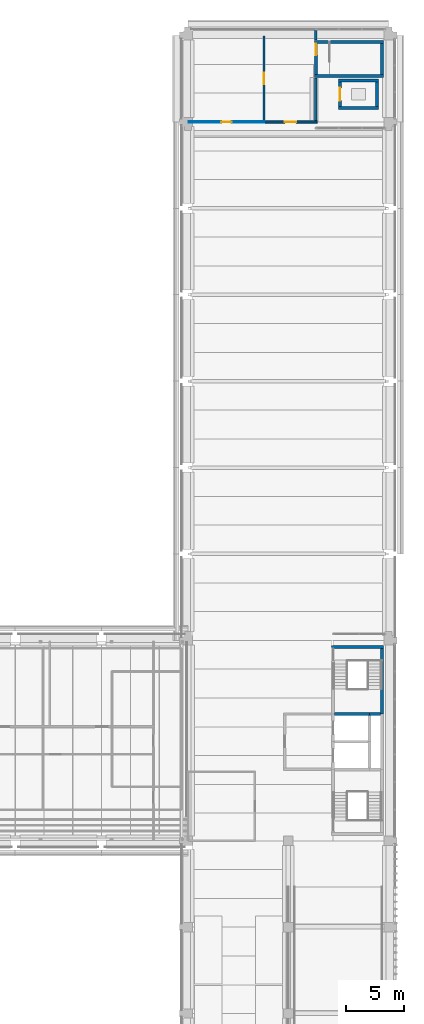
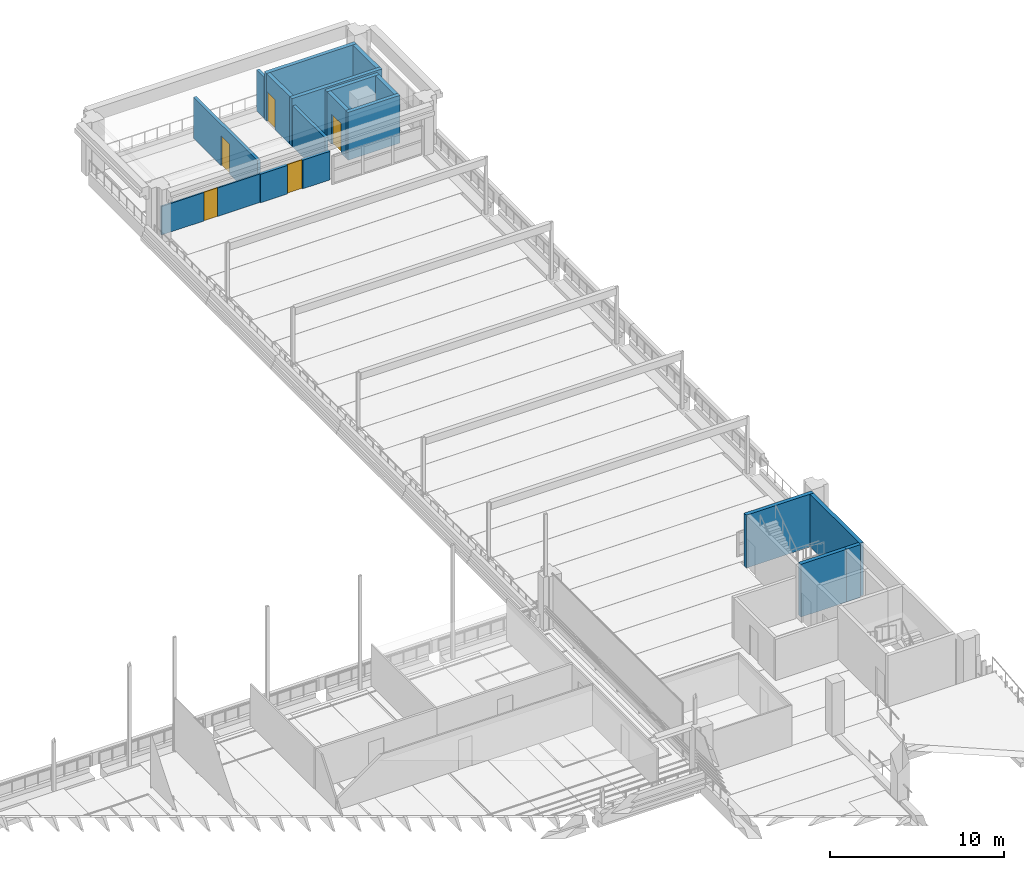
# One storey, part 46 of 62: 17 walls, 5 doors, 5 openings.
"""IFC4 building model written with IfcOpenShell, lengths in metres."""

from ifc_helpers import new_model, si_unit, direction, frame, frame_2d, origin, place, context, subcontext, project, spatial, rectangle, extrude, material, layer, layer_set, type_object, element, fill, save


model = new_model("IFC4")

# Units and contexts
model_context = context("Model", 3, precision=1e-05, world=origin(), true_north=direction((0.0, 1.0)))
body_context = subcontext(model_context, "Body", "Model", "MODEL_VIEW")
ifc_project = project(units=[si_unit("LENGTHUNIT", "METRE"), si_unit("AREAUNIT", "SQUARE_METRE"), si_unit("VOLUMEUNIT", "CUBIC_METRE"), si_unit("PLANEANGLEUNIT", "RADIAN"), si_unit("MASSUNIT", "GRAM", prefix="KILO")], contexts=[model_context])

# Site, building, storey
site_placement = place(None, origin())
site = spatial("IfcSite", under=ifc_project, at=site_placement, CompositionType="ELEMENT")
building_placement = place(site_placement, origin())
building = spatial("IfcBuilding", under=site, at=building_placement, Name="Cour d'Honneur Mobility Palace", CompositionType="ELEMENT")
storey_placement = place(building_placement, frame((0.0, 0.0, 19.300048828125)))
storey = spatial("IfcBuildingStorey", under=building, at=storey_placement, Name="L05", CompositionType="ELEMENT", Elevation=19.300048828125)

# Walls
ifc_material_1 = material(Name="Concrete C50", Category="concrete")
ifc_layer_1 = layer(ifc_material_1, 0.25)
ifc_layer_set_1 = layer_set([ifc_layer_1], Name="Concrete C50")
wall_type_1 = type_object("IfcWallType", Name="Lift shaft wall 250", PredefinedType="SHEAR", material=ifc_layer_set_1)
for number, where, z_axis, x_axis, name in (
    (1, (157.97509765625, 108.60009765625, 0.0), (0.0, 0.0, 1.0), (1.0, 0.0, 0.0), "Lift shaft wall WL-NE1 L05"),
    (2, (157.97509765625, 111.0, 0.0), (0.0, 0.0, 1.0), (1.0, 0.0, 0.0), "Lift shaft wall WL-NE2 L05"),
):
    element("IfcWall", number, at=place(storey_placement, frame(where, z_axis=z_axis, x_axis=x_axis)), inside=storey, type_object=wall_type_1, Name=name, PredefinedType="SHEAR", context=body_context, shape_type="SweptSolid", body=[
        extrude(rectangle(XDim=3.449951171875, YDim=0.25, at=frame_2d((1.72509765625, 0.0))), origin(), (0.0, 0.0, 1.0), 3.349853515625),
    ])

# Wall, opening, door
wall_1_placement = place(storey_placement, frame((158.10009765625, 108.72509765625, 0.0), z_axis=(0.0, 0.0, 1.0), x_axis=(0.0, 1.0, 0.0)))
wall_1 = element("IfcWall", 3, at=wall_1_placement, inside=storey, type_object=wall_type_1, Name="Lift shaft wall WL-NE6 L05", PredefinedType="SHEAR", context=body_context, shape_type="SweptSolid", body=[
    extrude(rectangle(XDim=2.14990234375, YDim=0.25, at=frame_2d((1.074951171875, 0.0))), origin(), (0.0, 0.0, 1.0), 3.349853515625),
])
opening_1_placement = place(wall_1_placement, frame((0.52490234375, 0.0, 0.0)))
opening_1 = element("IfcOpeningElement", 4, at=opening_1_placement, cuts=wall_1, Name="Opening LD64", PredefinedType="OPENING", context=body_context, shape_type="SweptSolid", body=[
    extrude(rectangle(XDim=1.10009765625, YDim=2.10009765625, at=frame_2d((0.550048828125, 1.050048828125))), frame((0.0, 0.135009765625, 0.0), z_axis=(0.0, -1.0, 0.0), x_axis=(1.0, 0.0, 0.0)), (0.0, 0.0, 1.0), 0.27001953125),
])
ifc_material_2 = material(Name="Stainless steel", Category="steel")
door_type_1 = type_object("IfcDoorType", Name="Landing door 1100 x 2100", OperationType="SLIDING_TO_LEFT", PredefinedType="DOOR", material=ifc_material_2)
door_1_placement = place(opening_1_placement, origin())
door_1 = element("IfcDoor", 5, at=door_1_placement, inside=storey, type_object=door_type_1, Name="Landing door LF-NE1 L05", OperationType="SLIDING_TO_LEFT", OverallHeight=2.10009765625, OverallWidth=1.10009765625, PredefinedType="DOOR", context=body_context, shape_type="SweptSolid", body=[
    extrude(rectangle(XDim=1.10009765625, YDim=2.10009765625, at=frame_2d((0.550048828125, 1.050048828125))), frame((0.0, 0.02490234375, 0.0), z_axis=(0.0, -1.0, 0.0), x_axis=(1.0, 0.0, 0.0)), (0.0, 0.0, 1.0), 0.050048828125),
])
fill(opening_1, door_1)

# Wall
wall_2_placement = place(storey_placement, frame((161.300048828125, 108.72509765625, 0.0), z_axis=(0.0, 0.0, 1.0), x_axis=(0.0, 1.0, 0.0)))
element("IfcWall", 6, at=wall_2_placement, inside=storey, type_object=wall_type_1, Name="Lift shaft wall WL-NE7 L05", PredefinedType="SHEAR", context=body_context, shape_type="SweptSolid", body=[
    extrude(rectangle(XDim=2.14990234375, YDim=0.25, at=frame_2d((1.074951171875, 0.0))), origin(), (0.0, 0.0, 1.0), 3.349853515625),
])

# Wall, opening, door
ifc_material_3 = material(Name="Gypsum plasterboard")
ifc_layer_2 = layer(ifc_material_3, 0.10009765625)
ifc_layer_set_2 = layer_set([ifc_layer_2], Name="Gypsum plasterboard")
wall_type_2 = type_object("IfcWallType", Name="Partition 100 under beam 1700", PredefinedType="PARTITIONING", material=ifc_layer_set_2)
wall_3_placement = place(storey_placement, frame((144.9599609375, 107.39990234375, 0.0), z_axis=(0.0, 0.0, 1.0), x_axis=(1.0, 0.0, 0.0)))
wall_3 = element("IfcWall", 7, at=wall_3_placement, inside=storey, type_object=wall_type_2, Name="Partition 073", PredefinedType="PARTITIONING", context=body_context, shape_type="SweptSolid", body=[
    extrude(rectangle(XDim=6.5400390625, YDim=0.10009765625, at=frame_2d((3.27001953125, 0.0))), origin(), (0.0, 0.0, 1.0), 2.0),
])
opening_2_placement = place(wall_3_placement, frame((2.820068359375, 0.0, 0.0)))
opening_2 = element("IfcOpeningElement", 8, at=opening_2_placement, cuts=wall_3, Name="Opening D0516", PredefinedType="OPENING", context=body_context, shape_type="SweptSolid", body=[
    extrude(rectangle(XDim=0.89990234375, YDim=2.0, at=frame_2d((0.449951171875, 1.0))), frame((0.0, 0.06005859375, 0.0), z_axis=(0.0, -1.0, 0.0), x_axis=(1.0, 0.0, 0.0)), (0.0, 0.0, 1.0), 0.1201171875),
])
ifc_material_4 = material(Name="Solid timber", Category="wood")
door_type_2 = type_object("IfcDoorType", Name="Single door 900 x 2000", OperationType="SINGLE_SWING_LEFT", PredefinedType="DOOR", material=ifc_material_4)
door_2_placement = place(opening_2_placement, frame((0.89990234375, 0.0, 0.0), z_axis=(0.0, 0.0, 1.0), x_axis=(-1.0, 0.0, 0.0)))
door_2 = element("IfcDoor", 9, at=door_2_placement, inside=storey, type_object=door_type_2, Name="Door Service Terrace Lounge", OperationType="SINGLE_SWING_RIGHT", OverallHeight=2.0, OverallWidth=0.89990234375, PredefinedType="DOOR", context=body_context, shape_type="SweptSolid", body=[
    extrude(rectangle(XDim=0.89990234375, YDim=2.0, at=frame_2d((0.449951171875, 1.0))), frame((0.0, 0.02490234375, 0.0), z_axis=(0.0, -1.0, 0.0), x_axis=(1.0, 0.0, 0.0)), (0.0, 0.0, 1.0), 0.050048828125),
])
fill(opening_2, door_2)

# Walls
ifc_material_5 = material(Name="Gypsum plasterboard")
ifc_layer_3 = layer(ifc_material_5, 0.199951171875)
ifc_layer_set_3 = layer_set([ifc_layer_3], Name="Gypsum plasterboard")
wall_type_3 = type_object("IfcWallType", Name="Partition 200 rated EI 120", PredefinedType="PARTITIONING", material=ifc_layer_set_3)
wall_4_placement = place(storey_placement, frame((156.0, 107.5, 0.0), z_axis=(0.0, 0.0, 1.0), x_axis=(0.0, 1.0, 0.0)))
element("IfcWall", 10, at=wall_4_placement, inside=storey, type_object=wall_type_3, Name="Partition 075", PredefinedType="PARTITIONING", context=body_context, shape_type="SweptSolid", body=[
    extrude(rectangle(XDim=3.72509765625, YDim=0.199951171875, at=frame_2d((1.862548828125, 0.0))), origin(), (0.0, 0.0, 1.0), 2.8798828125),
])
wall_5_placement = place(storey_placement, frame((156.0, 114.5, 0.0), z_axis=(0.0, 0.0, 1.0), x_axis=(0.0, 1.0, 0.0)))
element("IfcWall", 11, at=wall_5_placement, inside=storey, type_object=wall_type_3, Name="Partition 077", PredefinedType="PARTITIONING", context=body_context, shape_type="SweptSolid", body=[
    extrude(rectangle(XDim=0.89990234375, YDim=0.199951171875, at=frame_2d((0.449951171875, 0.0))), origin(), (0.0, 0.0, 1.0), 2.8798828125),
])

# Wall, opening, door
wall_6_placement = place(storey_placement, frame((151.5, 114.840087890625, 0.0), z_axis=(0.0, 0.0, 1.0), x_axis=(0.0, -1.0, 0.0)))
wall_6 = element("IfcWall", 12, at=wall_6_placement, inside=storey, type_object=wall_type_3, Name="Partition 079", PredefinedType="PARTITIONING", context=body_context, shape_type="SweptSolid", body=[
    extrude(rectangle(XDim=7.340087890625, YDim=0.199951171875, at=frame_2d((3.669921875, 0.0))), origin(), (0.0, 0.0, 1.0), 2.8798828125),
])
opening_3_placement = place(wall_6_placement, frame((3.169921875, 0.0, 0.0)))
opening_3 = element("IfcOpeningElement", 13, at=opening_3_placement, cuts=wall_6, Name="Opening D0515", PredefinedType="OPENING", context=body_context, shape_type="SweptSolid", body=[
    extrude(rectangle(XDim=1.0, YDim=2.10009765625, at=frame_2d((0.5, 1.050048828125))), frame((0.0, 0.10986328125, 0.0), z_axis=(0.0, -1.0, 0.0), x_axis=(1.0, 0.0, 0.0)), (0.0, 0.0, 1.0), 0.219970703125),
])
ifc_material_6 = material(Name="Galvanised steel", Category="steel")
door_type_3 = type_object("IfcDoorType", Name="Fire door FD120 1000 x 2100", OperationType="SINGLE_SWING_LEFT", PredefinedType="DOOR", material=ifc_material_6)
door_3_placement = place(opening_3_placement, origin())
door_3 = element("IfcDoor", 14, at=door_3_placement, inside=storey, type_object=door_type_3, Name="Door Service Terrace Lounge", OperationType="SINGLE_SWING_LEFT", OverallHeight=2.10009765625, OverallWidth=1.0, PredefinedType="DOOR", context=body_context, shape_type="SweptSolid", body=[
    extrude(rectangle(XDim=1.0, YDim=2.10009765625, at=frame_2d((0.5, 1.050048828125))), frame((0.0, 0.02490234375, 0.0), z_axis=(0.0, -1.0, 0.0), x_axis=(1.0, 0.0, 0.0)), (0.0, 0.0, 1.0), 0.050048828125),
])
fill(opening_3, door_3)

ifc_material_7 = material(Name="Gypsum plasterboard")
ifc_layer_4 = layer(ifc_material_7, 0.199951171875)
ifc_layer_set_4 = layer_set([ifc_layer_4], Name="Gypsum plasterboard")
wall_type_4 = type_object("IfcWallType", Name="Partition 200 rated EI 120 under beam 1700", PredefinedType="PARTITIONING", material=ifc_layer_set_4)
wall_7_placement = place(storey_placement, frame((151.5, 107.39990234375, 0.0), z_axis=(0.0, 0.0, 1.0), x_axis=(1.0, 0.0, 0.0)))
wall_7 = element("IfcWall", 15, at=wall_7_placement, inside=storey, type_object=wall_type_4, Name="Partition 074", PredefinedType="PARTITIONING", context=body_context, shape_type="SweptSolid", body=[
    extrude(rectangle(XDim=4.60009765625, YDim=0.199951171875, at=frame_2d((2.300048828125, 0.0))), origin(), (0.0, 0.0, 1.0), 2.0),
])
opening_4_placement = place(wall_7_placement, frame((1.800048828125, 0.0, 0.0)))
opening_4 = element("IfcOpeningElement", 16, at=opening_4_placement, cuts=wall_7, Name="Opening D0503", PredefinedType="OPENING", context=body_context, shape_type="SweptSolid", body=[
    extrude(rectangle(XDim=1.0, YDim=2.0, at=frame_2d((0.5, 1.0))), frame((0.0, 0.10986328125, 0.0), z_axis=(0.0, -1.0, 0.0), x_axis=(1.0, 0.0, 0.0)), (0.0, 0.0, 1.0), 0.219970703125),
])
ifc_material_8 = material(Name="Galvanised steel", Category="steel")
door_type_4 = type_object("IfcDoorType", Name="Fire door FD120 1000 x 2000", OperationType="SINGLE_SWING_LEFT", PredefinedType="DOOR", material=ifc_material_8)
door_4_placement = place(opening_4_placement, frame((1.0, 0.0, 0.0), z_axis=(0.0, 0.0, 1.0), x_axis=(-1.0, 0.0, 0.0)))
door_4 = element("IfcDoor", 17, at=door_4_placement, inside=storey, type_object=door_type_4, Name="Door Lift Lobby NE", OperationType="SINGLE_SWING_RIGHT", OverallHeight=2.0, OverallWidth=1.0, PredefinedType="DOOR", context=body_context, shape_type="SweptSolid", body=[
    extrude(rectangle(XDim=1.0, YDim=2.0, at=frame_2d((0.5, 1.0))), frame((0.0, 0.02490234375, 0.0), z_axis=(0.0, -1.0, 0.0), x_axis=(1.0, 0.0, 0.0)), (0.0, 0.0, 1.0), 0.050048828125),
])
fill(opening_4, door_4)

# Walls
ifc_material_9 = material(Name="Concrete C50", Category="concrete")
ifc_layer_5 = layer(ifc_material_9, 0.25)
ifc_layer_set_5 = layer_set([ifc_layer_5], Name="Concrete C50")
wall_type_5 = type_object("IfcWallType", Name="Stair wall 250", PredefinedType="SHEAR", material=ifc_layer_set_5)
wall_8_placement = place(storey_placement, frame((157.625, 56.0, 0.0), z_axis=(0.0, 0.0, 1.0), x_axis=(1.0, 0.0, 0.0)))
element("IfcWall", 18, at=wall_8_placement, inside=storey, type_object=wall_type_5, Name="Stair wall WS-CE5 L05", PredefinedType="SHEAR", context=body_context, shape_type="SweptSolid", body=[
    extrude(rectangle(XDim=3.02490234375, YDim=0.25, at=frame_2d((1.512451171875, 0.0))), origin(), (0.0, 0.0, 1.0), 3.699951171875),
])
wall_9_placement = place(storey_placement, frame((160.64990234375, 56.0, 0.0), z_axis=(0.0, 0.0, 1.0), x_axis=(1.0, 0.0, 0.0)))
element("IfcWall", 19, at=wall_9_placement, inside=storey, type_object=wall_type_5, Name="Stair wall WS-CE6 L05", PredefinedType="SHEAR", context=body_context, shape_type="SweptSolid", body=[
    extrude(rectangle(XDim=0.9501953125, YDim=0.25, at=frame_2d((0.47509765625, 0.0))), origin(), (0.0, 0.0, 1.0), 3.699951171875),
])
wall_10_placement = place(storey_placement, frame((157.375, 61.824951171875, 0.0), z_axis=(0.0, 0.0, 1.0), x_axis=(1.0, 0.0, 0.0)))
element("IfcWall", 20, at=wall_10_placement, inside=storey, type_object=wall_type_5, Name="Stair wall WS-CE7 L05", PredefinedType="SHEAR", context=body_context, shape_type="SweptSolid", body=[
    extrude(rectangle(XDim=4.47509765625, YDim=0.25, at=frame_2d((2.237548828125, 0.0))), origin(), (0.0, 0.0, 1.0), 3.699951171875),
])
wall_11_placement = place(storey_placement, frame((161.72509765625, 56.0, 0.0), z_axis=(0.0, 0.0, 1.0), x_axis=(0.0, 1.0, 0.0)))
element("IfcWall", 21, at=wall_11_placement, inside=storey, type_object=wall_type_5, Name="Stair wall WS-CE16 L05", PredefinedType="SHEAR", context=body_context, shape_type="SweptSolid", body=[
    extrude(rectangle(XDim=5.699951171875, YDim=0.25, at=frame_2d((2.85009765625, 0.0))), origin(), (0.0, 0.0, 1.0), 3.699951171875),
])
for number, where, z_axis, x_axis, name in (
    (22, (155.875, 111.39990234375, 0.0), (0.0, 0.0, 1.0), (1.0, 0.0, 0.0), "Stair wall WS-NE3 L05"),
    (23, (155.875, 114.324951171875, 0.0), (0.0, 0.0, 1.0), (1.0, 0.0, 0.0), "Stair wall WS-NE4 L05"),
):
    element("IfcWall", number, at=place(storey_placement, frame(where, z_axis=z_axis, x_axis=x_axis)), inside=storey, type_object=wall_type_5, Name=name, PredefinedType="SHEAR", context=body_context, shape_type="SweptSolid", body=[
        extrude(rectangle(XDim=5.97509765625, YDim=0.25, at=frame_2d((2.987548828125, 0.0))), origin(), (0.0, 0.0, 1.0), 3.349853515625),
    ])

# Wall, opening, door
wall_12_placement = place(storey_placement, frame((156.0, 111.52490234375, 0.0), z_axis=(0.0, 0.0, 1.0), x_axis=(0.0, 1.0, 0.0)))
wall_12 = element("IfcWall", 24, at=wall_12_placement, inside=storey, type_object=wall_type_5, Name="Stair wall WS-NE5 L05", PredefinedType="SHEAR", context=body_context, shape_type="SweptSolid", body=[
    extrude(rectangle(XDim=2.675048828125, YDim=0.25, at=frame_2d((1.33740234375, 0.0))), origin(), (0.0, 0.0, 1.0), 3.349853515625),
])
opening_5_placement = place(wall_12_placement, frame((1.675048828125, 0.0, 0.0)))
opening_5 = element("IfcOpeningElement", 25, at=opening_5_placement, cuts=wall_12, Name="Opening S108", PredefinedType="OPENING", context=body_context, shape_type="SweptSolid", body=[
    extrude(rectangle(XDim=1.0, YDim=2.10009765625, at=frame_2d((0.5, 1.050048828125))), frame((0.0, 0.135009765625, 0.0), z_axis=(0.0, -1.0, 0.0), x_axis=(1.0, 0.0, 0.0)), (0.0, 0.0, 1.0), 0.27001953125),
])
ifc_material_10 = material(Name="Galvanised steel", Category="steel")
door_type_5 = type_object("IfcDoorType", Name="Fire door FD120 stair 1000 x 2100", OperationType="SINGLE_SWING_LEFT", PredefinedType="DOOR", material=ifc_material_10)
door_5_placement = place(opening_5_placement, origin())
door_5 = element("IfcDoor", 26, at=door_5_placement, inside=storey, type_object=door_type_5, Name="Stair door ST-NE1 L05", OperationType="SINGLE_SWING_RIGHT", OverallHeight=2.10009765625, OverallWidth=1.0, PredefinedType="DOOR", context=body_context, shape_type="SweptSolid", body=[
    extrude(rectangle(XDim=1.0, YDim=2.10009765625, at=frame_2d((0.5, 1.050048828125))), frame((0.0, 0.02490234375, 0.0), z_axis=(0.0, -1.0, 0.0), x_axis=(1.0, 0.0, 0.0)), (0.0, 0.0, 1.0), 0.050048828125),
])
fill(opening_5, door_5)

# Wall
wall_13_placement = place(storey_placement, frame((161.72509765625, 111.52490234375, 0.0), z_axis=(0.0, 0.0, 1.0), x_axis=(0.0, 1.0, 0.0)))
element("IfcWall", 27, at=wall_13_placement, inside=storey, type_object=wall_type_5, Name="Stair wall WS-NE8 L05", PredefinedType="SHEAR", context=body_context, shape_type="SweptSolid", body=[
    extrude(rectangle(XDim=2.675048828125, YDim=0.25, at=frame_2d((1.33740234375, 0.0))), origin(), (0.0, 0.0, 1.0), 3.349853515625),
])

save(model, "model.ifc")
